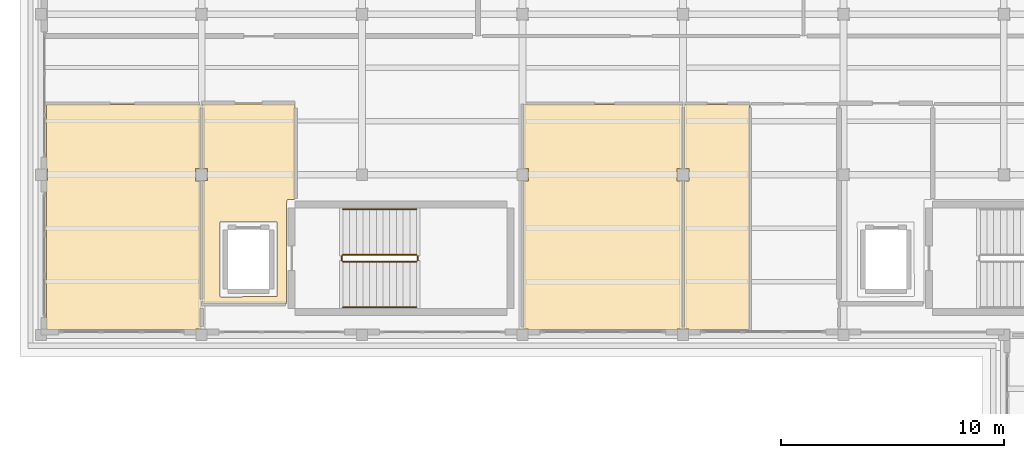
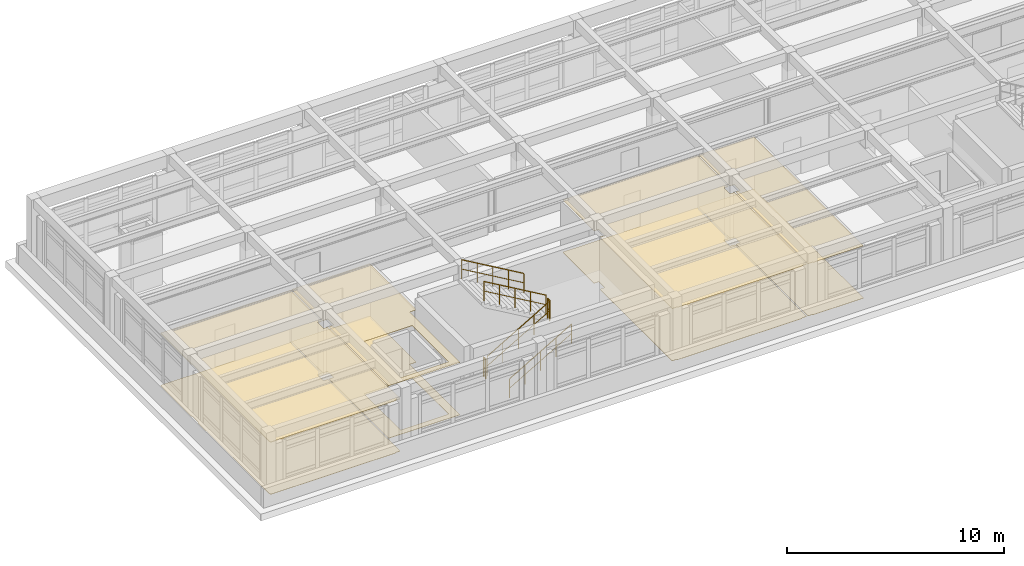
# One storey, part 16 of 18: 8 coverings, 6 railings.
"""IFC4 building model written with IfcOpenShell, lengths in metres."""

from ifc_helpers import new_model, si_unit, direction, frame, origin, origin_2d, place, context, subcontext, project, spatial, polyline, circle, outline, extrude, material, layer, layer_set, type_object, element, save


model = new_model("IFC4")

# Units and contexts
model_context = context("Model", 3, precision=1e-05, world=origin(), true_north=direction((0.0, 1.0)))
body_context = subcontext(model_context, "Body", "Model", "MODEL_VIEW")
ifc_project = project(units=[si_unit("LENGTHUNIT", "METRE"), si_unit("AREAUNIT", "SQUARE_METRE"), si_unit("VOLUMEUNIT", "CUBIC_METRE"), si_unit("PLANEANGLEUNIT", "RADIAN"), si_unit("MASSUNIT", "GRAM", prefix="KILO")], contexts=[model_context])

# Site, building, storey
site_placement = place(None, origin())
site = spatial("IfcSite", under=ifc_project, at=site_placement, CompositionType="ELEMENT")
building_placement = place(site_placement, origin())
building = spatial("IfcBuilding", under=site, at=building_placement, Name="Solenvale Faculty of Natural Sciences", CompositionType="ELEMENT")
storey_placement = place(building_placement, frame((0.0, 0.0, 43.800048828125)))
storey = spatial("IfcBuildingStorey", under=building, at=storey_placement, Name="L10", CompositionType="ELEMENT", Elevation=43.800048828125)

# Coverings
ifc_material_1 = material(Name="Acoustic mineral-timber ceiling", Category="wood")
ifc_layer_1 = layer(ifc_material_1, 0.02490234375)
ifc_layer_set_1 = layer_set([ifc_layer_1], Name="Acoustic mineral-timber ceiling")
covering_type_1 = type_object("IfcCoveringType", Name="COV-CEIL-AC25", PredefinedType="CEILING", material=ifc_layer_set_1)
covering_1_placement = place(storey_placement, frame((0.0, 0.0, 2.93505859375)))
element("IfcCovering", 1, at=covering_1_placement, inside=storey, type_object=covering_type_1, Name="L10 Firefighting Lobby C4 Acoustic Ceiling", PredefinedType="CEILING", context=body_context, shape_type="SweptSolid", body=[
    extrude(outline(polyline([(104.97998046875, 99.7099609375), (104.9560546875, 99.680908203125), (104.64794921875, 99.679931640625), (104.6201171875, 99.652099609375), (104.613037109375, 95.031005859375), (104.590087890625, 95.02001953125), (100.8310546875, 95.027099609375), (100.820068359375, 95.050048828125), (100.820068359375, 100.4951171875), (100.846923828125, 100.52490234375), (101.073974609375, 100.531005859375), (101.074951171875, 101.06396484375), (101.06396484375, 101.074951171875), (100.846923828125, 101.074951171875), (100.820068359375, 101.10205078125), (100.820068359375, 103.949951171875), (100.8291015625, 103.970947265625), (100.85009765625, 103.97998046875), (104.949951171875, 103.97998046875), (104.970947265625, 103.970947265625), (104.97998046875, 103.949951171875), (104.97998046875, 99.7099609375)]), holes=[polyline([(101.64794921875, 98.679931640625), (101.6279296875, 98.669921875), (101.6201171875, 98.64990234375), (101.6259765625, 95.33203125), (101.64990234375, 95.320068359375), (104.16796875, 95.325927734375), (104.179931640625, 95.35009765625), (104.174072265625, 98.66796875), (104.14990234375, 98.679931640625), (101.64794921875, 98.679931640625)])]), origin(), (0.0, 0.0, 1.0), 0.02490234375),
])
covering_2_placement = place(storey_placement, frame((0.0, 0.0, 2.93505859375)))
element("IfcCovering", 2, at=covering_2_placement, inside=storey, type_object=covering_type_1, Name="L10 Public Washroom Acoustic Ceiling", PredefinedType="CEILING", context=body_context, shape_type="SweptSolid", body=[
    extrude(outline(polyline([(115.5048828125, 93.840087890625), (115.467041015625, 93.875), (115.2470703125, 93.875), (115.219970703125, 93.905029296875), (115.219970703125, 100.4951171875), (115.243896484375, 100.52392578125), (115.464111328125, 100.52490234375), (115.47509765625, 100.535888671875), (115.47412109375, 101.069091796875), (115.2470703125, 101.074951171875), (115.219970703125, 101.10205078125), (115.22509765625, 103.947021484375), (115.25, 103.9599609375), (122.366943359375, 103.955078125), (122.3798828125, 103.929931640625), (122.3798828125, 101.10205078125), (122.35302734375, 101.074951171875), (122.1259765625, 101.069091796875), (122.125, 100.535888671875), (122.135986328125, 100.52490234375), (122.35595703125, 100.52392578125), (122.3798828125, 100.4951171875), (122.375, 93.887939453125), (122.35302734375, 93.875), (122.133056640625, 93.875), (122.094970703125, 93.840087890625), (115.5048828125, 93.840087890625)])), origin(), (0.0, 0.0, 1.0), 0.02490234375),
])
covering_3_placement = place(storey_placement, frame((0.0, 0.0, 2.93505859375)))
element("IfcCovering", 3, at=covering_3_placement, inside=storey, type_object=covering_type_1, Name="L10 Accessible Washroom Acoustic Ceiling", PredefinedType="CEILING", context=body_context, shape_type="SweptSolid", body=[
    extrude(outline(polyline([(122.705078125, 93.840087890625), (122.6669921875, 93.875), (122.467041015625, 93.875), (122.43994140625, 93.905029296875), (122.43994140625, 100.4951171875), (122.464111328125, 100.52392578125), (122.666015625, 100.52490234375), (122.675048828125, 100.535888671875), (122.674072265625, 101.069091796875), (122.467041015625, 101.074951171875), (122.43994140625, 101.10205078125), (122.44091796875, 103.93896484375), (122.469970703125, 103.9599609375), (125.35888671875, 103.958984375), (125.3798828125, 103.929931640625), (125.37890625, 93.861083984375), (125.35009765625, 93.840087890625), (122.705078125, 93.840087890625)])), origin(), (0.0, 0.0, 1.0), 0.02490234375),
])
ifc_material_2 = material(Name="Oak slatted acoustic timber ceiling", Category="wood")
ifc_layer_2 = layer(ifc_material_2, 0.034912109375)
ifc_layer_set_2 = layer_set([ifc_layer_2], Name="Oak slatted acoustic timber ceiling")
covering_type_2 = type_object("IfcCoveringType", Name="COV-CEIL-WD35", PredefinedType="CEILING", material=ifc_layer_set_2)
covering_4_placement = place(storey_placement, frame((0.0, 0.0, 2.925048828125)))
element("IfcCovering", 4, at=covering_4_placement, inside=storey, type_object=covering_type_2, Name="L10 Learning Commons Acoustic Ceiling", PredefinedType="CEILING", context=body_context, shape_type="SweptSolid", body=[
    extrude(outline(polyline([(93.905029296875, 93.840087890625), (93.884033203125, 93.847900390625), (93.840087890625, 93.905029296875), (93.840087890625, 100.4951171875), (93.875, 100.535888671875), (93.875, 101.06591796875), (93.840087890625, 101.10498046875), (93.844970703125, 103.947021484375), (93.8701171875, 103.9599609375), (100.7470703125, 103.955078125), (100.760009765625, 103.929931640625), (100.760009765625, 101.10205078125), (100.73291015625, 101.074951171875), (100.52587890625, 101.069091796875), (100.52490234375, 100.535888671875), (100.533935546875, 100.52490234375), (100.736083984375, 100.52392578125), (100.760009765625, 100.4951171875), (100.760009765625, 95.0), (100.780029296875, 94.950927734375), (100.77490234375, 93.887939453125), (100.7529296875, 93.875), (100.532958984375, 93.875), (100.4951171875, 93.840087890625), (93.905029296875, 93.840087890625)])), origin(), (0.0, 0.0, 1.0), 0.034912109375),
])
ifc_material_3 = material(Name="Polished slate terrazzo flooring", Category="masonry")
ifc_layer_3 = layer(ifc_material_3, 0.01806640625)
ifc_layer_set_3 = layer_set([ifc_layer_3], Name="Polished slate terrazzo flooring")
covering_type_3 = type_object("IfcCoveringType", Name="COV-FLR-TRZ18", PredefinedType="FLOORING", material=ifc_layer_set_3)
covering_5_placement = place(storey_placement, origin())
element("IfcCovering", 5, at=covering_5_placement, inside=storey, type_object=covering_type_3, Name="L10 Firefighting Lobby C4 Floor Finish", PredefinedType="FLOORING", context=body_context, shape_type="SweptSolid", body=[
    extrude(outline(polyline([(104.97998046875, 99.7099609375), (104.9560546875, 99.680908203125), (104.64794921875, 99.679931640625), (104.6201171875, 99.652099609375), (104.613037109375, 95.031005859375), (104.590087890625, 95.02001953125), (100.8310546875, 95.027099609375), (100.820068359375, 95.050048828125), (100.820068359375, 100.4951171875), (100.846923828125, 100.52490234375), (101.073974609375, 100.531005859375), (101.074951171875, 101.06396484375), (101.06396484375, 101.074951171875), (100.846923828125, 101.074951171875), (100.820068359375, 101.10205078125), (100.820068359375, 103.949951171875), (100.8291015625, 103.970947265625), (100.85009765625, 103.97998046875), (104.949951171875, 103.97998046875), (104.970947265625, 103.970947265625), (104.97998046875, 103.949951171875), (104.97998046875, 99.7099609375)]), holes=[polyline([(101.64794921875, 98.679931640625), (101.6279296875, 98.669921875), (101.6201171875, 98.64990234375), (101.6259765625, 95.33203125), (101.64990234375, 95.320068359375), (104.16796875, 95.325927734375), (104.179931640625, 95.35009765625), (104.174072265625, 98.66796875), (104.14990234375, 98.679931640625), (101.64794921875, 98.679931640625)])]), origin(), (0.0, 0.0, 1.0), 0.01806640625),
])
covering_6_placement = place(storey_placement, origin())
element("IfcCovering", 6, at=covering_6_placement, inside=storey, type_object=covering_type_3, Name="L10 Learning Commons Floor Finish", PredefinedType="FLOORING", context=body_context, shape_type="SweptSolid", body=[
    extrude(outline(polyline([(93.905029296875, 93.840087890625), (93.884033203125, 93.847900390625), (93.840087890625, 93.905029296875), (93.840087890625, 100.4951171875), (93.875, 100.535888671875), (93.875, 101.06591796875), (93.840087890625, 101.10498046875), (93.844970703125, 103.947021484375), (93.8701171875, 103.9599609375), (100.7470703125, 103.955078125), (100.760009765625, 103.929931640625), (100.760009765625, 101.10205078125), (100.73291015625, 101.074951171875), (100.52587890625, 101.069091796875), (100.52490234375, 100.535888671875), (100.533935546875, 100.52490234375), (100.736083984375, 100.52392578125), (100.760009765625, 100.4951171875), (100.760009765625, 95.0), (100.780029296875, 94.950927734375), (100.77490234375, 93.887939453125), (100.7529296875, 93.875), (100.532958984375, 93.875), (100.4951171875, 93.840087890625), (93.905029296875, 93.840087890625)])), origin(), (0.0, 0.0, 1.0), 0.01806640625),
])
covering_7_placement = place(storey_placement, origin())
element("IfcCovering", 7, at=covering_7_placement, inside=storey, type_object=covering_type_3, Name="L10 Public Washroom Floor Finish", PredefinedType="FLOORING", context=body_context, shape_type="SweptSolid", body=[
    extrude(outline(polyline([(115.5048828125, 93.840087890625), (115.467041015625, 93.875), (115.2470703125, 93.875), (115.219970703125, 93.905029296875), (115.219970703125, 100.4951171875), (115.243896484375, 100.52392578125), (115.464111328125, 100.52490234375), (115.47509765625, 100.535888671875), (115.47412109375, 101.069091796875), (115.2470703125, 101.074951171875), (115.219970703125, 101.10205078125), (115.22509765625, 103.947021484375), (115.25, 103.9599609375), (122.366943359375, 103.955078125), (122.3798828125, 103.929931640625), (122.3798828125, 101.10205078125), (122.35302734375, 101.074951171875), (122.1259765625, 101.069091796875), (122.125, 100.535888671875), (122.135986328125, 100.52490234375), (122.35595703125, 100.52392578125), (122.3798828125, 100.4951171875), (122.375, 93.887939453125), (122.35302734375, 93.875), (122.133056640625, 93.875), (122.094970703125, 93.840087890625), (115.5048828125, 93.840087890625)])), origin(), (0.0, 0.0, 1.0), 0.01806640625),
])
covering_8_placement = place(storey_placement, origin())
element("IfcCovering", 8, at=covering_8_placement, inside=storey, type_object=covering_type_3, Name="L10 Accessible Washroom Floor Finish", PredefinedType="FLOORING", context=body_context, shape_type="SweptSolid", body=[
    extrude(outline(polyline([(122.705078125, 93.840087890625), (122.6669921875, 93.875), (122.467041015625, 93.875), (122.43994140625, 93.905029296875), (122.43994140625, 100.4951171875), (122.464111328125, 100.52392578125), (122.666015625, 100.52490234375), (122.675048828125, 100.535888671875), (122.674072265625, 101.069091796875), (122.467041015625, 101.074951171875), (122.43994140625, 101.10205078125), (122.44091796875, 103.93896484375), (122.469970703125, 103.9599609375), (125.35888671875, 103.958984375), (125.3798828125, 103.929931640625), (125.37890625, 93.861083984375), (125.35009765625, 93.840087890625), (122.705078125, 93.840087890625)])), origin(), (0.0, 0.0, 1.0), 0.01806640625),
])

# Railings
ifc_material_4 = material(Name="Stainless steel Grade 304", Category="steel")
railing_type_1 = type_object("IfcRailingType", Name="RL-GRD-1100", PredefinedType="GUARDRAIL", material=ifc_material_4)
railing_1_placement = place(storey_placement, frame((107.139892578125, 96.89990234375, 0.175048828125)))
element("IfcRailing", 9, at=railing_1_placement, inside=storey, type_object=railing_type_1, Name="L10 ST-04 stair guard 1", PredefinedType="GUARDRAIL", context=body_context, shape_type="SweptSolid", body=[
    extrude(circle(Radius=0.02392578125, at=origin_2d()), frame((0.0, 0.0, 1.09619140625), z_axis=(0.863804395585, 0.0, 0.503827317807), x_axis=(0.0, 1.0, 0.0)), (0.0, 0.0, 1.0), 3.8203125),
    extrude(circle(Radius=0.01611328125, at=origin_2d()), frame((0.0, 0.0, 0.56005859375), z_axis=(0.863804395585, 0.0, 0.503827317807), x_axis=(0.0, 1.0, 0.0)), (0.0, 0.0, 1.0), 3.8203125),
    extrude(circle(Radius=0.02099609375, at=origin_2d()), origin(), (0.0, 0.0, 1.0), 1.072021484375),
    extrude(circle(Radius=0.02099609375, at=origin_2d()), frame((0.824951171875, 0.0, 0.481201171875)), (0.0, 0.0, 1.0), 1.072021484375),
    extrude(circle(Radius=0.02099609375, at=origin_2d()), frame((1.64990234375, 0.0, 0.96240234375)), (0.0, 0.0, 1.0), 1.072021484375),
    extrude(circle(Radius=0.02099609375, at=origin_2d()), frame((2.47509765625, 0.0, 1.443603515625)), (0.0, 0.0, 1.0), 1.072021484375),
    extrude(circle(Radius=0.02099609375, at=origin_2d()), frame((3.300048828125, 0.0, 1.9248046875)), (0.0, 0.0, 1.0), 1.072021484375),
])
railing_2_placement = place(storey_placement, frame((110.489990234375, 96.949951171875, 2.099853515625)))
element("IfcRailing", 10, at=railing_2_placement, inside=storey, type_object=railing_type_1, Name="L10 ST-04 stair guard 2", PredefinedType="GUARDRAIL", context=body_context, shape_type="SweptSolid", body=[
    extrude(circle(Radius=0.02392578125, at=origin_2d()), frame((0.0, 0.0, 1.09619140625), z_axis=(0.0, 1.0, 0.0), x_axis=(-1.0, 0.0, 0.0)), (0.0, 0.0, 1.0), 0.199951171875),
    extrude(circle(Radius=0.01611328125, at=origin_2d()), frame((0.0, 0.0, 0.56005859375), z_axis=(0.0, 1.0, 0.0), x_axis=(-1.0, 0.0, 0.0)), (0.0, 0.0, 1.0), 0.199951171875),
    extrude(circle(Radius=0.02099609375, at=origin_2d()), origin(), (0.0, 0.0, 1.0), 1.072021484375),
    extrude(circle(Radius=0.02099609375, at=origin_2d()), frame((0.0, 0.199951171875, 0.0)), (0.0, 0.0, 1.0), 1.072021484375),
])
railing_3_placement = place(storey_placement, frame((110.43994140625, 97.199951171875, 2.27490234375)))
element("IfcRailing", 11, at=railing_3_placement, inside=storey, type_object=railing_type_1, Name="L10 ST-04 stair guard 3", PredefinedType="GUARDRAIL", context=body_context, shape_type="SweptSolid", body=[
    extrude(circle(Radius=0.02392578125, at=origin_2d()), frame((0.0, 0.0, 1.09619140625), z_axis=(-0.863776583165, 0.0, 0.503874998761), x_axis=(0.0, -1.0, 0.0)), (0.0, 0.0, 1.0), 3.820556640625),
    extrude(circle(Radius=0.01611328125, at=origin_2d()), frame((0.0, 0.0, 0.56005859375), z_axis=(-0.863776583165, 0.0, 0.503874998761), x_axis=(0.0, -1.0, 0.0)), (0.0, 0.0, 1.0), 3.820556640625),
    extrude(circle(Radius=0.02099609375, at=origin_2d()), origin(), (0.0, 0.0, 1.0), 1.072021484375),
    extrude(circle(Radius=0.02099609375, at=origin_2d()), frame((-0.824951171875, 0.0, 0.481201171875)), (0.0, 0.0, 1.0), 1.072021484375),
    extrude(circle(Radius=0.02099609375, at=origin_2d()), frame((-1.64990234375, 0.0, 0.96240234375)), (0.0, 0.0, 1.0), 1.072021484375),
    extrude(circle(Radius=0.02099609375, at=origin_2d()), frame((-2.47509765625, 0.0, 1.44384765625)), (0.0, 0.0, 1.0), 1.072021484375),
    extrude(circle(Radius=0.02099609375, at=origin_2d()), frame((-3.300048828125, 0.0, 1.925048828125)), (0.0, 0.0, 1.0), 1.072021484375),
])
railing_4_placement = place(storey_placement, frame((107.090087890625, 96.949951171875, 0.0)))
element("IfcRailing", 12, at=railing_4_placement, inside=storey, type_object=railing_type_1, Name="L10 ST-04 stair guard 4", PredefinedType="GUARDRAIL", context=body_context, shape_type="SweptSolid", body=[
    extrude(circle(Radius=0.02392578125, at=origin_2d()), frame((0.0, 0.0, 1.09619140625), z_axis=(0.0, 1.0, 0.0), x_axis=(-1.0, 0.0, 0.0)), (0.0, 0.0, 1.0), 0.199951171875),
    extrude(circle(Radius=0.01611328125, at=origin_2d()), frame((0.0, 0.0, 0.56005859375), z_axis=(0.0, 1.0, 0.0), x_axis=(-1.0, 0.0, 0.0)), (0.0, 0.0, 1.0), 0.199951171875),
    extrude(circle(Radius=0.02099609375, at=origin_2d()), origin(), (0.0, 0.0, 1.0), 1.072021484375),
    extrude(circle(Radius=0.02099609375, at=origin_2d()), frame((0.0, 0.199951171875, 0.0)), (0.0, 0.0, 1.0), 1.072021484375),
])
railing_type_2 = type_object("IfcRailingType", Name="RL-HND-900", PredefinedType="HANDRAIL", material=ifc_material_4)
railing_5_placement = place(storey_placement, frame((107.139892578125, 94.85009765625, 0.175048828125)))
element("IfcRailing", 13, at=railing_5_placement, inside=storey, type_object=railing_type_2, Name="L10 ST-04 stair handrail 1", PredefinedType="HANDRAIL", context=body_context, shape_type="SweptSolid", body=[
    extrude(circle(Radius=0.02392578125, at=origin_2d()), frame((0.0, 0.0, 1.0751953125), z_axis=(0.863804395585, 0.0, 0.503827317807), x_axis=(0.0, 1.0, 0.0)), (0.0, 0.0, 1.0), 3.8203125),
    extrude(circle(Radius=0.01611328125, at=origin_2d()), frame((0.0, 0.0, 0.549560546875), z_axis=(0.863804395585, 0.0, 0.503827317807), x_axis=(0.0, 1.0, 0.0)), (0.0, 0.0, 1.0), 3.8203125),
    extrude(circle(Radius=0.02099609375, at=origin_2d()), origin(), (0.0, 0.0, 1.0), 1.051025390625),
    extrude(circle(Radius=0.02099609375, at=origin_2d()), frame((0.824951171875, 0.0, 0.481201171875)), (0.0, 0.0, 1.0), 1.051025390625),
    extrude(circle(Radius=0.02099609375, at=origin_2d()), frame((1.64990234375, 0.0, 0.96240234375)), (0.0, 0.0, 1.0), 1.051025390625),
    extrude(circle(Radius=0.02099609375, at=origin_2d()), frame((2.47509765625, 0.0, 1.443603515625)), (0.0, 0.0, 1.0), 1.051025390625),
    extrude(circle(Radius=0.02099609375, at=origin_2d()), frame((3.300048828125, 0.0, 1.9248046875)), (0.0, 0.0, 1.0), 1.051025390625),
])
railing_6_placement = place(storey_placement, frame((110.43994140625, 99.25, 2.27490234375)))
element("IfcRailing", 14, at=railing_6_placement, inside=storey, type_object=railing_type_2, Name="L10 ST-04 stair handrail 2", PredefinedType="HANDRAIL", context=body_context, shape_type="SweptSolid", body=[
    extrude(circle(Radius=0.02392578125, at=origin_2d()), frame((0.0, 0.0, 1.0751953125), z_axis=(-0.863776583165, 0.0, 0.503874998761), x_axis=(0.0, -1.0, 0.0)), (0.0, 0.0, 1.0), 3.820556640625),
    extrude(circle(Radius=0.01611328125, at=origin_2d()), frame((0.0, 0.0, 0.549560546875), z_axis=(-0.863776583165, 0.0, 0.503874998761), x_axis=(0.0, -1.0, 0.0)), (0.0, 0.0, 1.0), 3.820556640625),
    extrude(circle(Radius=0.02099609375, at=origin_2d()), origin(), (0.0, 0.0, 1.0), 1.051025390625),
    extrude(circle(Radius=0.02099609375, at=origin_2d()), frame((-0.824951171875, 0.0, 0.481201171875)), (0.0, 0.0, 1.0), 1.051025390625),
    extrude(circle(Radius=0.02099609375, at=origin_2d()), frame((-1.64990234375, 0.0, 0.96240234375)), (0.0, 0.0, 1.0), 1.051025390625),
    extrude(circle(Radius=0.02099609375, at=origin_2d()), frame((-2.47509765625, 0.0, 1.44384765625)), (0.0, 0.0, 1.0), 1.051025390625),
    extrude(circle(Radius=0.02099609375, at=origin_2d()), frame((-3.300048828125, 0.0, 1.925048828125)), (0.0, 0.0, 1.0), 1.051025390625),
])

save(model, "model.ifc")
